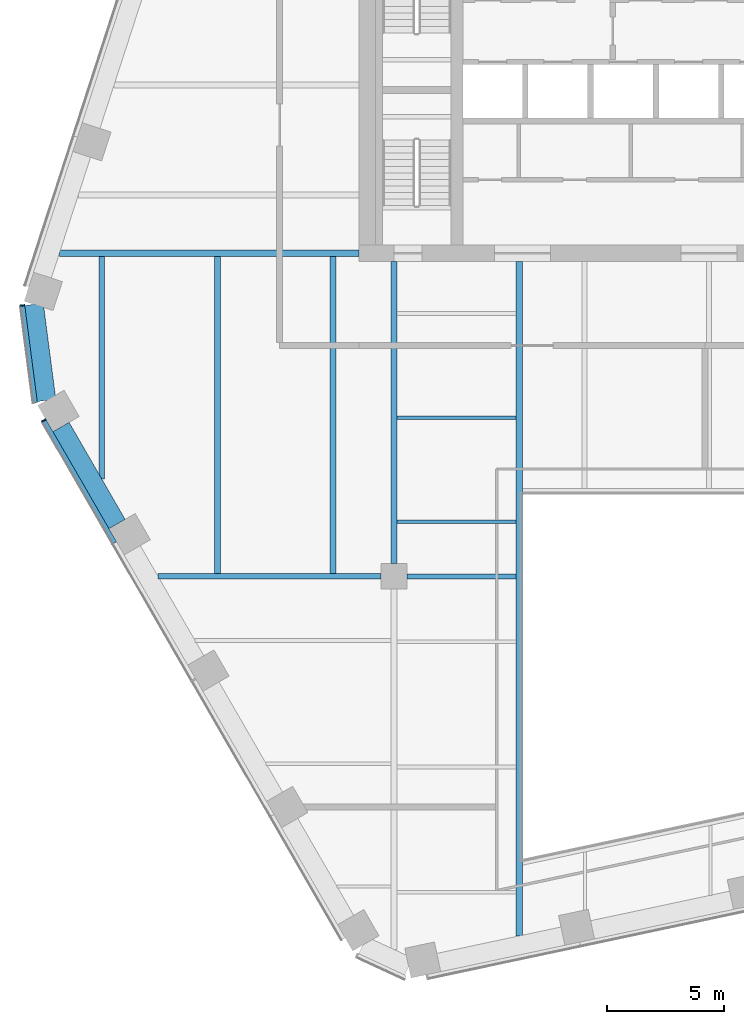
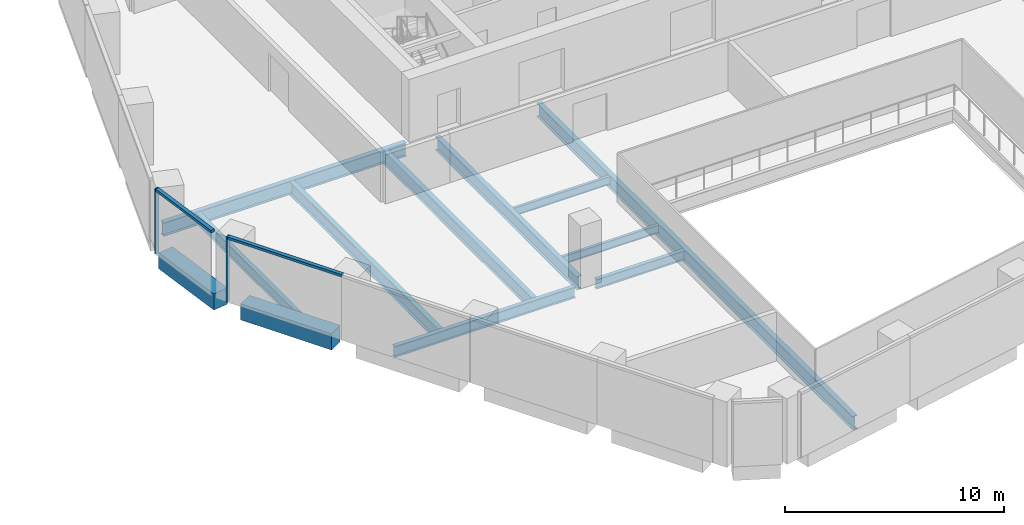
# One storey, part 3 of 16: 12 beams, 4 members, 2 elements without a shape of their own.
"""IFC4 building model written with IfcOpenShell, lengths in metres."""

from ifc_helpers import new_model, si_unit, direction, frame, origin, origin_2d, place, context, subcontext, project, spatial, rectangle, i_section, extrude, material, layer, layer_set, material_profile, profile_set, type_object, element, aggregate, save


model = new_model("IFC4")

# Units and contexts
model_context = context("Model", 3, precision=1e-05, world=origin(), true_north=direction((0.0, 1.0)))
body_context = subcontext(model_context, "Body", "Model", "MODEL_VIEW")
ifc_project = project(units=[si_unit("LENGTHUNIT", "METRE"), si_unit("AREAUNIT", "SQUARE_METRE"), si_unit("VOLUMEUNIT", "CUBIC_METRE"), si_unit("PLANEANGLEUNIT", "RADIAN"), si_unit("MASSUNIT", "GRAM", prefix="KILO")], contexts=[model_context])

# Site, building, storey
site_placement = place(None, origin())
site = spatial("IfcSite", under=ifc_project, at=site_placement, CompositionType="ELEMENT")
building_placement = place(site_placement, origin())
building = spatial("IfcBuilding", under=site, at=building_placement, Name="Isthmus Gate Tower", CompositionType="ELEMENT")
storey_placement = place(building_placement, frame((0.0, 0.0, 196.35009765625)))
storey = spatial("IfcBuildingStorey", under=building, at=storey_placement, Name="L49", CompositionType="ELEMENT", Elevation=196.35009765625)

# Curtain wall, member
ifc_material_1 = material(Name="Aluminium, pale champagne anodised", Category="aluminium")
ifc_layer = layer(ifc_material_1, 0.199951171875)
ifc_layer_set = layer_set([ifc_layer], Name="CW-1 UNITISED CURTAIN WALL 200 DEEP")
curtain_wall_type = type_object("IfcCurtainWallType", Name="CW-1 UNITISED CURTAIN WALL 200 DEEP", PredefinedType="NOTDEFINED", material=ifc_layer_set)
curtain_wall_1_placement = place(storey_placement, origin())
curtain_wall_1 = element("IfcCurtainWall", 1, at=curtain_wall_1_placement, inside=storey, type_object=curtain_wall_type, Name="CW-1 NW-SW L49", PredefinedType="NOTDEFINED")
ifc_material_2 = material(Name="Aluminium, pale champagne anodised", Category="aluminium")
ifc_material_profile_1 = material_profile(ifc_material_2, rectangle(XDim=0.06005859375, YDim=0.199951171875, at=origin_2d()), Name="60x200")
ifc_profile_set_1 = profile_set([ifc_material_profile_1], Name="Aluminium, pale champagne anodised")
member_type_1 = type_object("IfcMemberType", Name="CW-1 MULLION 60 X 200", PredefinedType="MULLION", material=ifc_profile_set_1)
member_1_placement = place(storey_placement, frame((-29.42724609375, -1.88525390625, 0.0), z_axis=(0.0, 0.0, 1.0), x_axis=(0.129164534, -0.991623175988, 0.0)))
member_1 = element("IfcMember", 2, at=member_1_placement, type_object=member_type_1, Name="CW-1 mullion", PredefinedType="MULLION", context=body_context, shape_type="SweptSolid", body=[
    extrude(rectangle(XDim=0.06005859375, YDim=0.199951171875, at=origin_2d()), origin(), (0.0, 0.0, 1.0), 3.64990234375),
])

curtain_wall_2_placement = place(storey_placement, origin())
curtain_wall_2 = element("IfcCurtainWall", 3, at=curtain_wall_2_placement, inside=storey, type_object=curtain_wall_type, Name="CW-1 SW L49", PredefinedType="NOTDEFINED")
member_2_placement = place(storey_placement, frame((-28.5146484375, -6.811279296875, 0.0), z_axis=(0.0, 0.0, 1.0), x_axis=(0.5, -0.866025403784, 0.0)))
member_2 = element("IfcMember", 4, at=member_2_placement, type_object=member_type_1, Name="CW-1 mullion", PredefinedType="MULLION", context=body_context, shape_type="SweptSolid", body=[
    extrude(rectangle(XDim=0.06005859375, YDim=0.199951171875, at=origin_2d()), origin(), (0.0, 0.0, 1.0), 3.64990234375),
])

# Member
ifc_material_3 = material(Name="Aluminium, pale champagne anodised", Category="aluminium")
ifc_material_profile_2 = material_profile(ifc_material_3, rectangle(XDim=0.199951171875, YDim=0.139892578125, at=origin_2d()), Name="200x140")
ifc_profile_set_2 = profile_set([ifc_material_profile_2], Name="Aluminium, pale champagne anodised")
member_type_2 = type_object("IfcMemberType", Name="CW-1 TRANSOM 200 X 140", PredefinedType="USERDEFINED", material=ifc_profile_set_2)
member_3_placement = place(storey_placement, frame((-29.42333984375, -1.9150390625, 3.579833984375), z_axis=(0.129149481977, -0.991625136483, 0.0), x_axis=(0.991625136483, 0.129149481977, 0.0)))
member_3 = element("IfcMember", 5, at=member_3_placement, type_object=member_type_2, Name="CW-1 transom", ObjectType="TRANSOM", PredefinedType="USERDEFINED", context=body_context, shape_type="SweptSolid", body=[
    extrude(rectangle(XDim=0.199951171875, YDim=0.139892578125, at=origin_2d()), origin(), (0.0, 0.0, 1.0), 4.181396484375),
])

aggregate(curtain_wall_1, [member_1, member_3])

member_4_placement = place(storey_placement, frame((-28.49951171875, -6.837158203125, 3.579833984375), z_axis=(0.499990697366, -0.866030774596, 0.0), x_axis=(0.866030774596, 0.499990697366, 0.0)))
member_4 = element("IfcMember", 6, at=member_4_placement, type_object=member_type_2, Name="CW-1 transom", ObjectType="TRANSOM", PredefinedType="USERDEFINED", context=body_context, shape_type="SweptSolid", body=[
    extrude(rectangle(XDim=0.199951171875, YDim=0.139892578125, at=origin_2d()), origin(), (0.0, 0.0, 1.0), 6.0400390625),
])

aggregate(curtain_wall_2, [member_2, member_4])

# Beams
ifc_material_4 = material(Name="Concrete f'c 60 MPa", Category="concrete")
ifc_material_profile_3 = material_profile(ifc_material_4, rectangle(XDim=0.800048828125, YDim=0.89990234375, at=origin_2d()), Name="RC 800X900")
ifc_profile_set_3 = profile_set([ifc_material_profile_3], Name="Concrete f'c 60 MPa")
beam_type_1 = type_object("IfcBeamType", Name="RC SPANDREL 800 X 900", PredefinedType="SPANDREL", material=ifc_profile_set_3)
beam_1_placement = place(storey_placement, frame((-25.37158203125, -11.255126953125, -0.4501953125), z_axis=(-0.499979284789, 0.866037363387, 0.0), x_axis=(-0.866037363387, -0.499979284789, 0.0)))
element("IfcBeam", 7, at=beam_1_placement, inside=storey, type_object=beam_type_1, Name="str-spandrel-L49-19", PredefinedType="SPANDREL", context=body_context, shape_type="SweptSolid", body=[
    extrude(rectangle(XDim=0.800048828125, YDim=0.89990234375, at=origin_2d()), origin(), (0.0, 0.0, 1.0), 4.800048828125),
])
beam_2_placement = place(storey_placement, frame((-28.392822265625, -5.955810546875, -0.4501953125), z_axis=(-0.129170777359, 0.991622362735, 0.0), x_axis=(-0.991622362735, -0.129170777359, 0.0)))
element("IfcBeam", 8, at=beam_2_placement, inside=storey, type_object=beam_type_1, Name="str-spandrel-L49-20", PredefinedType="SPANDREL", context=body_context, shape_type="SweptSolid", body=[
    extrude(rectangle(XDim=0.800048828125, YDim=0.89990234375, at=origin_2d()), origin(), (0.0, 0.0, 1.0), 4.15234375),
])
ifc_material_5 = material(Name="Structural steel ASTM A992 Gr 50", Category="steel")
ifc_material_profile_4 = material_profile(ifc_material_5, i_section(OverallWidth=0.15234375, OverallDepth=0.45068359375, WebThickness=0.0078125, FlangeThickness=0.010986328125, at=origin_2d()), Name="W18X35")
ifc_profile_set_4 = profile_set([ifc_material_profile_4], Name="Structural steel ASTM A992 Gr 50")
beam_type_2 = type_object("IfcBeamType", Name="STEEL FLOOR BEAM W18X35", PredefinedType="JOIST", material=ifc_profile_set_4)
for number, where, z_axis, x_axis, name in (
    (9, (-13.3681640625, -11.16259765625, -0.37548828125), (1.0, 0.0, 0.0), (0.0, 1.0, 0.0), "str-beam-L49-04-00"),
    (10, (-13.3681640625, -6.697509765625, -0.37548828125), (1.0, 0.0, 0.0), (0.0, 1.0, 0.0), "str-beam-L49-04-01"),
):
    element("IfcBeam", number, at=place(storey_placement, frame(where, z_axis=z_axis, x_axis=x_axis)), inside=storey, type_object=beam_type_2, Name=name, PredefinedType="JOIST", context=body_context, shape_type="SweptSolid", body=[
        extrude(i_section(OverallWidth=0.15234375, OverallDepth=0.45068359375, WebThickness=0.0078125, FlangeThickness=0.010986328125, at=origin_2d()), origin(), (0.0, 0.0, 1.0), 5.1015625),
    ])
ifc_material_6 = material(Name="Structural steel ASTM A992 Gr 50", Category="steel")
ifc_material_profile_5 = material_profile(ifc_material_6, i_section(OverallWidth=0.228515625, OverallDepth=0.603271484375, WebThickness=0.010986328125, FlangeThickness=0.014404296875, at=origin_2d()), Name="W24X68")
ifc_profile_set_5 = profile_set([ifc_material_profile_5], Name="Structural steel ASTM A992 Gr 50")
beam_type_3 = type_object("IfcBeamType", Name="STEEL FLOOR BEAM W24X68", PredefinedType="JOIST", material=ifc_profile_set_5)
beam_3_placement = place(storey_placement, frame((-26.028564453125, -9.317138671875, -0.45166015625), z_axis=(0.0, 1.0, 0.0), x_axis=(-1.0, 0.0, 0.0)))
element("IfcBeam", 11, at=beam_3_placement, inside=storey, type_object=beam_type_3, Name="str-beam-L49-00-00", PredefinedType="JOIST", context=body_context, shape_type="SweptSolid", body=[
    extrude(i_section(OverallWidth=0.228515625, OverallDepth=0.603271484375, WebThickness=0.010986328125, FlangeThickness=0.014404296875, at=origin_2d()), origin(), (0.0, 0.0, 1.0), 9.535400390625),
])
ifc_material_7 = material(Name="Structural steel ASTM A992 Gr 50", Category="steel")
ifc_material_profile_6 = material_profile(ifc_material_7, i_section(OverallWidth=0.263427734375, OverallDepth=0.749267578125, WebThickness=0.0126953125, FlangeThickness=0.015869140625, at=origin_2d()), Name="W30X90")
ifc_profile_set_6 = profile_set([ifc_material_profile_6], Name="Structural steel ASTM A992 Gr 50")
beam_type_4 = type_object("IfcBeamType", Name="STEEL FLOOR BEAM W30X90", PredefinedType="JOIST", material=ifc_profile_set_6)
for number, where, z_axis, x_axis, name in (
    (12, (-21.06982421875, -13.3857421875, -0.524658203125), (0.0, 1.0, 0.0), (-1.0, 0.0, 0.0), "str-beam-L49-00-01"),
    (13, (-16.111083984375, -13.3857421875, -0.524658203125), (0.0, 1.0, 0.0), (-1.0, 0.0, 0.0), "str-beam-L49-00-02"),
):
    element("IfcBeam", number, at=place(storey_placement, frame(where, z_axis=z_axis, x_axis=x_axis)), inside=storey, type_object=beam_type_4, Name=name, PredefinedType="JOIST", context=body_context, shape_type="SweptSolid", body=[
        extrude(i_section(OverallWidth=0.263427734375, OverallDepth=0.749267578125, WebThickness=0.0126953125, FlangeThickness=0.015869140625, at=origin_2d()), origin(), (0.0, 0.0, 1.0), 13.60400390625),
    ])
ifc_material_8 = material(Name="Structural steel ASTM A992 Gr 50", Category="steel")
ifc_material_profile_7 = material_profile(ifc_material_8, i_section(OverallWidth=0.20947265625, OverallDepth=0.533447265625, WebThickness=0.009521484375, FlangeThickness=0.015869140625, at=origin_2d()), Name="W21X62")
ifc_profile_set_7 = profile_set([ifc_material_profile_7], Name="Structural steel ASTM A992 Gr 50")
beam_type_5 = type_object("IfcBeamType", Name="STEEL GIRDER W21X62", PredefinedType="BEAM", material=ifc_profile_set_7)
beam_4_placement = place(storey_placement, frame((-12.949951171875, -13.5, -0.416748046875), z_axis=(1.0, 0.0, 0.0), x_axis=(0.0, 1.0, 0.0)))
element("IfcBeam", 14, at=beam_4_placement, inside=storey, type_object=beam_type_5, Name="str-girder-L49-02", PredefinedType="BEAM", context=body_context, shape_type="SweptSolid", body=[
    extrude(i_section(OverallWidth=0.20947265625, OverallDepth=0.533447265625, WebThickness=0.009521484375, FlangeThickness=0.015869140625, at=origin_2d()), origin(), (0.0, 0.0, 1.0), 4.683349609375),
])
ifc_material_9 = material(Name="Structural steel ASTM A992 Gr 50", Category="steel")
ifc_material_profile_8 = material_profile(ifc_material_9, i_section(OverallWidth=0.228515625, OverallDepth=0.6064453125, WebThickness=0.010986328125, FlangeThickness=0.017578125, at=origin_2d()), Name="W24X76")
ifc_profile_set_8 = profile_set([ifc_material_profile_8], Name="Structural steel ASTM A992 Gr 50")
beam_type_6 = type_object("IfcBeamType", Name="STEEL GIRDER W24X76", PredefinedType="BEAM", material=ifc_profile_set_8)
beam_5_placement = place(storey_placement, frame((-23.613525390625, -13.5, -0.453369140625), z_axis=(1.0, 0.0, 0.0), x_axis=(0.0, 1.0, 0.0)))
element("IfcBeam", 15, at=beam_5_placement, inside=storey, type_object=beam_type_6, Name="str-girder-L49-01", PredefinedType="BEAM", context=body_context, shape_type="SweptSolid", body=[
    extrude(i_section(OverallWidth=0.228515625, OverallDepth=0.6064453125, WebThickness=0.010986328125, FlangeThickness=0.017578125, at=origin_2d()), origin(), (0.0, 0.0, 1.0), 9.5634765625),
])
ifc_material_10 = material(Name="Structural steel ASTM A992 Gr 50", Category="steel")
ifc_material_profile_9 = material_profile(ifc_material_10, i_section(OverallWidth=0.263427734375, OverallDepth=0.749267578125, WebThickness=0.0126953125, FlangeThickness=0.015869140625, at=origin_2d()), Name="W30X90")
ifc_profile_set_9 = profile_set([ifc_material_profile_9], Name="Structural steel ASTM A992 Gr 50")
beam_type_7 = type_object("IfcBeamType", Name="STEEL GIRDER W30X90", PredefinedType="BEAM", material=ifc_profile_set_9)
beam_6_placement = place(storey_placement, frame((-13.5, -12.949951171875, -0.524658203125), z_axis=(0.0, 1.0, 0.0), x_axis=(-1.0, 0.0, 0.0)))
element("IfcBeam", 16, at=beam_6_placement, inside=storey, type_object=beam_type_7, Name="str-girder-L49-08", PredefinedType="BEAM", context=body_context, shape_type="SweptSolid", body=[
    extrude(i_section(OverallWidth=0.263427734375, OverallDepth=0.749267578125, WebThickness=0.0126953125, FlangeThickness=0.015869140625, at=origin_2d()), origin(), (0.0, 0.0, 1.0), 12.949951171875),
])
beam_7_placement = place(storey_placement, frame((-15.0, 0.35009765625, -0.524658203125), z_axis=(-1.0, 0.0, 0.0), x_axis=(0.0, -1.0, 0.0)))
element("IfcBeam", 17, at=beam_7_placement, inside=storey, type_object=beam_type_7, Name="str-girder-L49-13", PredefinedType="BEAM", context=body_context, shape_type="SweptSolid", body=[
    extrude(i_section(OverallWidth=0.263427734375, OverallDepth=0.749267578125, WebThickness=0.0126953125, FlangeThickness=0.015869140625, at=origin_2d()), origin(), (0.0, 0.0, 1.0), 12.8427734375),
])
ifc_material_11 = material(Name="Structural steel ASTM A992 Gr 50", Category="steel")
ifc_material_profile_10 = material_profile(ifc_material_11, i_section(OverallWidth=0.2666015625, OverallDepth=0.7587890625, WebThickness=0.014404296875, FlangeThickness=0.01904296875, at=origin_2d()), Name="W30X108")
ifc_profile_set_10 = profile_set([ifc_material_profile_10], Name="Structural steel ASTM A992 Gr 50")
beam_type_8 = type_object("IfcBeamType", Name="STEEL TRIMMER W30X108", PredefinedType="BEAM", material=ifc_profile_set_10)
beam_8_placement = place(storey_placement, frame((-8.13330078125, 0.0, -0.529541015625), z_axis=(0.0, -1.0, 0.0), x_axis=(1.0, 0.0, 0.0)))
element("IfcBeam", 18, at=beam_8_placement, inside=storey, type_object=beam_type_8, Name="str-trimmer-L49-02", PredefinedType="BEAM", context=body_context, shape_type="SweptSolid", body=[
    extrude(i_section(OverallWidth=0.2666015625, OverallDepth=0.7587890625, WebThickness=0.014404296875, FlangeThickness=0.01904296875, at=origin_2d()), origin(), (0.0, 0.0, 1.0), 28.910888671875),
])

save(model, "model.ifc")
